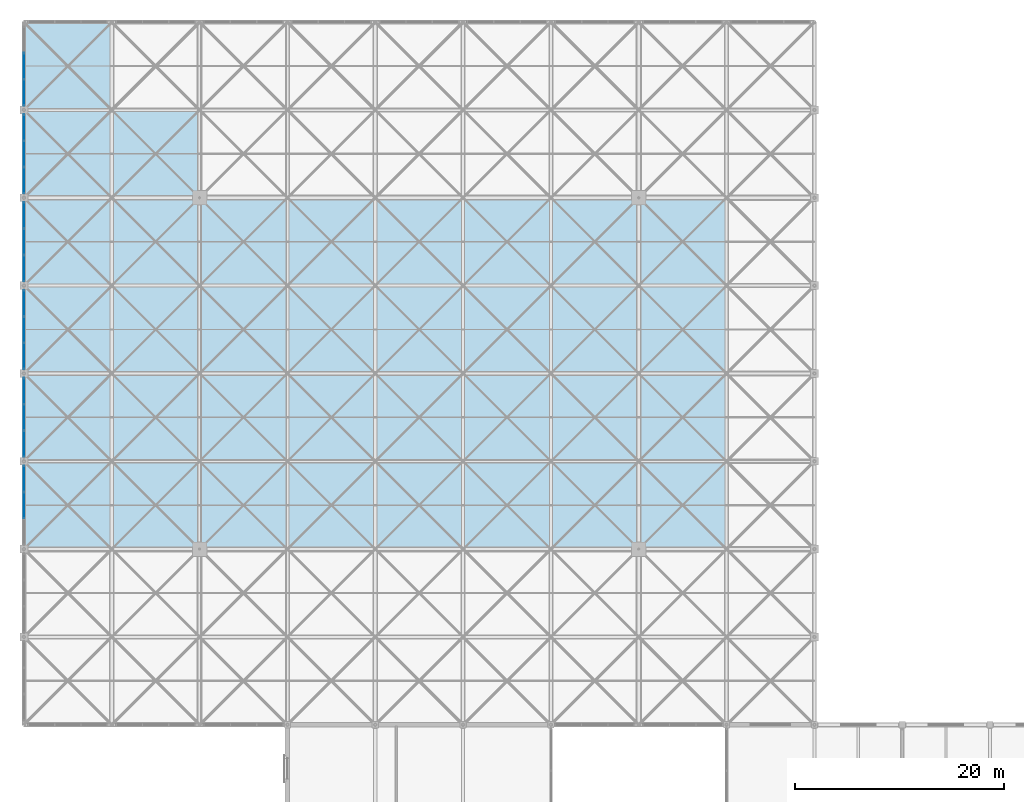
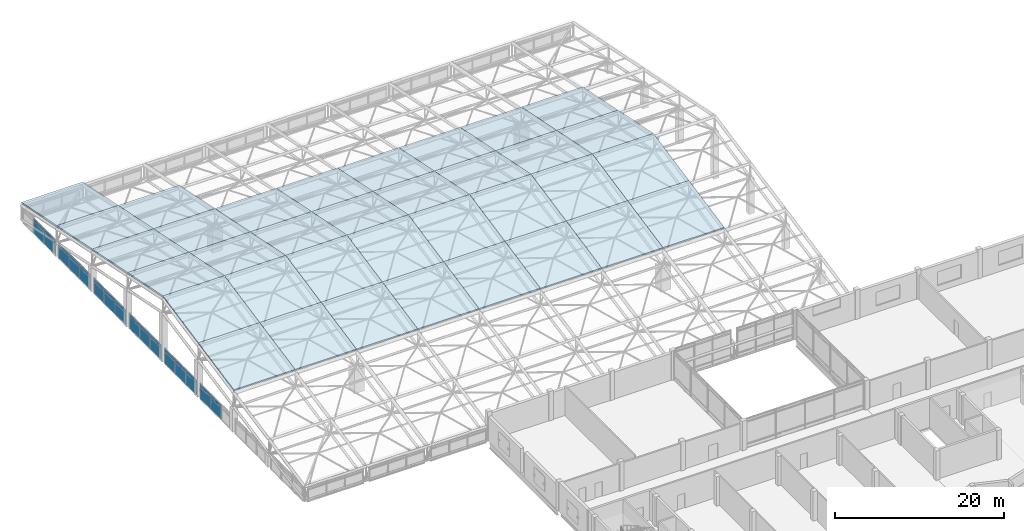
# One storey, part 70 of 81: 35 slabs, 32 plates, 6 elements without a shape of their own.
"""IFC4 building model written with IfcOpenShell, lengths in metres."""

from ifc_helpers import new_model, si_unit, direction, frame, frame_2d, origin, place, context, subcontext, project, spatial, polyline, rectangle, outline, extrude, material, layer, layer_set, type_object, element, aggregate, save


model = new_model("IFC4")

# Units and contexts
model_context = context("Model", 3, precision=1e-05, world=origin(), true_north=direction((0.0, 1.0)))
body_context = subcontext(model_context, "Body", "Model", "MODEL_VIEW")
ifc_project = project(units=[si_unit("LENGTHUNIT", "METRE"), si_unit("AREAUNIT", "SQUARE_METRE"), si_unit("VOLUMEUNIT", "CUBIC_METRE"), si_unit("PLANEANGLEUNIT", "RADIAN"), si_unit("MASSUNIT", "GRAM", prefix="KILO")], contexts=[model_context])

# Site, building, storey
site_placement = place(None, origin())
site = spatial("IfcSite", under=ifc_project, at=site_placement, CompositionType="ELEMENT")
building_placement = place(site_placement, origin())
building = spatial("IfcBuilding", under=site, at=building_placement, Name="Qawsi Khor Wholesale Market", CompositionType="ELEMENT")
storey_placement = place(building_placement, frame((0.0, 0.0, 16.199951171875)))
storey = spatial("IfcBuildingStorey", under=building, at=storey_placement, Name="L03", CompositionType="ELEMENT", Elevation=16.199951171875)

# Slabs
ifc_material_1 = material(Name="Concrete C40/50", Category="concrete")
ifc_layer_1 = layer(ifc_material_1, 0.2099609375, Name="Concrete C40/50")
ifc_layer_set_1 = layer_set([ifc_layer_1], Name="Concrete C40/50")
slab_type = type_object("IfcSlabType", Name="Sloped Insulated Roof Deck 210", PredefinedType="ROOF", material=ifc_layer_set_1)
slab_1_placement = place(storey_placement, frame((0.0, 58.800048828125, 5.85009765625), z_axis=(0.0, -0.1983562496, 0.980129990483), x_axis=(1.0, 0.0, 0.0)))
element("IfcSlab", 1, at=slab_1_placement, inside=storey, type_object=slab_type, Name="Space frame roof deck WH (0,7)", PredefinedType="ROOF", context=body_context, shape_type="SweptSolid", body=[
    extrude(outline(polyline([(0.0, 0.0), (8.39990234375, 0.0), (8.39990234375, 8.570192143195854), (0.0, 8.570192143195854), (0.0, 0.0)])), origin(), (0.0, 0.0, -1.0), 0.2099609375),
])
slab_2_placement = place(storey_placement, frame((0.0, 67.199951171875, 7.550048828125), z_axis=(0.0, -0.198350711418, 0.98013111127), x_axis=(1.0, 0.0, 0.0)))
element("IfcSlab", 2, at=slab_2_placement, inside=storey, type_object=slab_type, Name="Space frame roof deck WH (0,8)", PredefinedType="ROOF", context=body_context, shape_type="SweptSolid", body=[
    extrude(outline(polyline([(0.0, 0.0), (8.39990234375, 0.0), (8.39990234375, 8.570431432881128), (0.0, 8.570431432881128), (0.0, 0.0)])), origin(), (0.0, 0.0, -1.0), 0.2099609375),
])
for number, where, z_axis, x_axis, name in (
    (3, (0.0, 75.60009765625, 9.25), (0.0, 0.1983562496, 0.980129990483), (1.0, 0.0, 0.0), "Space frame roof deck WH (0,9)"),
    (4, (0.0, 84.0, 7.550048828125), (0.0, 0.1983562496, 0.980129990483), (1.0, 0.0, 0.0), "Space frame roof deck WH (0,10)"),
):
    element("IfcSlab", number, at=place(storey_placement, frame(where, z_axis=z_axis, x_axis=x_axis)), inside=storey, type_object=slab_type, Name=name, PredefinedType="ROOF", context=body_context, shape_type="SweptSolid", body=[
        extrude(outline(polyline([(0.0, 0.0), (8.39990234375, 0.0), (8.39990234375, 8.570192143195854), (0.0, 8.570192143195854), (0.0, 0.0)])), origin(), (0.0, 0.0, -1.0), 0.2099609375),
    ])
slab_3_placement = place(storey_placement, frame((0.0, 92.39990234375, 5.85009765625), z_axis=(0.0, 0.198350711418, 0.98013111127), x_axis=(1.0, 0.0, 0.0)))
element("IfcSlab", 5, at=slab_3_placement, inside=storey, type_object=slab_type, Name="Space frame roof deck WH (0,11)", PredefinedType="ROOF", context=body_context, shape_type="SweptSolid", body=[
    extrude(outline(polyline([(0.0, 0.0), (8.39990234375, 0.0), (8.39990234375, 8.570431432881128), (0.0, 8.570431432881128), (0.0, 0.0)])), origin(), (0.0, 0.0, -1.0), 0.2099609375),
])
slab_4_placement = place(storey_placement, frame((0.0, 100.800048828125, 4.150146484375), z_axis=(0.0, 0.198383615716, 0.9801244518), x_axis=(1.0, 0.0, 0.0)))
element("IfcSlab", 6, at=slab_4_placement, inside=storey, type_object=slab_type, Name="Space frame roof deck WH (0,12)", PredefinedType="ROOF", context=body_context, shape_type="SweptSolid", body=[
    extrude(outline(polyline([(0.0, 0.0), (8.39990234375, 0.0), (8.39990234375, 8.570240573355203), (0.0, 8.570240573355203), (0.0, 0.0)])), origin(), (0.0, 0.0, -1.0), 0.2099609375),
])
slab_5_placement = place(storey_placement, frame((8.39990234375, 58.800048828125, 5.85009765625), z_axis=(0.0, -0.1983562496, 0.980129990483), x_axis=(1.0, 0.0, 0.0)))
element("IfcSlab", 7, at=slab_5_placement, inside=storey, type_object=slab_type, Name="Space frame roof deck WH (1,7)", PredefinedType="ROOF", context=body_context, shape_type="SweptSolid", body=[
    extrude(outline(polyline([(0.0, 0.0), (8.400146484375, 0.0), (8.400146484375, 8.570192143195856), (0.0, 8.570192143195856), (0.0, 0.0)])), origin(), (0.0, 0.0, -1.0), 0.2099609375),
])
slab_6_placement = place(storey_placement, frame((8.39990234375, 67.199951171875, 7.550048828125), z_axis=(0.0, -0.198350711418, 0.98013111127), x_axis=(1.0, 0.0, 0.0)))
element("IfcSlab", 8, at=slab_6_placement, inside=storey, type_object=slab_type, Name="Space frame roof deck WH (1,8)", PredefinedType="ROOF", context=body_context, shape_type="SweptSolid", body=[
    extrude(outline(polyline([(0.0, 0.0), (8.400146484375, 0.0), (8.400146484375, 8.570431432881128), (0.0, 8.570431432881128), (0.0, 0.0)])), origin(), (0.0, 0.0, -1.0), 0.2099609375),
])
for number, where, z_axis, x_axis, name in (
    (9, (8.39990234375, 75.60009765625, 9.25), (0.0, 0.1983562496, 0.980129990483), (1.0, 0.0, 0.0), "Space frame roof deck WH (1,9)"),
    (10, (8.39990234375, 84.0, 7.550048828125), (0.0, 0.1983562496, 0.980129990483), (1.0, 0.0, 0.0), "Space frame roof deck WH (1,10)"),
):
    element("IfcSlab", number, at=place(storey_placement, frame(where, z_axis=z_axis, x_axis=x_axis)), inside=storey, type_object=slab_type, Name=name, PredefinedType="ROOF", context=body_context, shape_type="SweptSolid", body=[
        extrude(outline(polyline([(0.0, 0.0), (8.400146484375, 0.0), (8.400146484375, 8.570192143195856), (0.0, 8.570192143195856), (0.0, 0.0)])), origin(), (0.0, 0.0, -1.0), 0.2099609375),
    ])
slab_7_placement = place(storey_placement, frame((8.39990234375, 92.39990234375, 5.85009765625), z_axis=(0.0, 0.198350711418, 0.98013111127), x_axis=(1.0, 0.0, 0.0)))
element("IfcSlab", 11, at=slab_7_placement, inside=storey, type_object=slab_type, Name="Space frame roof deck WH (1,11)", PredefinedType="ROOF", context=body_context, shape_type="SweptSolid", body=[
    extrude(outline(polyline([(0.0, 0.0), (8.400146484375, 0.0), (8.400146484375, 8.570431432881128), (0.0, 8.570431432881128), (0.0, 0.0)])), origin(), (0.0, 0.0, -1.0), 0.2099609375),
])
slab_8_placement = place(storey_placement, frame((16.800048828125, 58.800048828125, 5.85009765625), z_axis=(0.0, -0.1983562496, 0.980129990483), x_axis=(1.0, 0.0, 0.0)))
element("IfcSlab", 12, at=slab_8_placement, inside=storey, type_object=slab_type, Name="Space frame roof deck WH (2,7)", PredefinedType="ROOF", context=body_context, shape_type="SweptSolid", body=[
    extrude(outline(polyline([(0.0, 0.0), (8.39990234375, 0.0), (8.39990234375, 8.570192143195854), (0.0, 8.570192143195854), (0.0, 0.0)])), origin(), (0.0, 0.0, -1.0), 0.2099609375),
])
slab_9_placement = place(storey_placement, frame((16.800048828125, 67.199951171875, 7.550048828125), z_axis=(0.0, -0.198350711418, 0.98013111127), x_axis=(1.0, 0.0, 0.0)))
element("IfcSlab", 13, at=slab_9_placement, inside=storey, type_object=slab_type, Name="Space frame roof deck WH (2,8)", PredefinedType="ROOF", context=body_context, shape_type="SweptSolid", body=[
    extrude(outline(polyline([(0.0, 0.0), (8.39990234375, 0.0), (8.39990234375, 8.570431432881128), (0.0, 8.570431432881128), (0.0, 0.0)])), origin(), (0.0, 0.0, -1.0), 0.2099609375),
])
for number, where, z_axis, x_axis, name in (
    (14, (16.800048828125, 75.60009765625, 9.25), (0.0, 0.1983562496, 0.980129990483), (1.0, 0.0, 0.0), "Space frame roof deck WH (2,9)"),
    (15, (16.800048828125, 84.0, 7.550048828125), (0.0, 0.1983562496, 0.980129990483), (1.0, 0.0, 0.0), "Space frame roof deck WH (2,10)"),
):
    element("IfcSlab", number, at=place(storey_placement, frame(where, z_axis=z_axis, x_axis=x_axis)), inside=storey, type_object=slab_type, Name=name, PredefinedType="ROOF", context=body_context, shape_type="SweptSolid", body=[
        extrude(outline(polyline([(0.0, 0.0), (8.39990234375, 0.0), (8.39990234375, 8.570192143195854), (0.0, 8.570192143195854), (0.0, 0.0)])), origin(), (0.0, 0.0, -1.0), 0.2099609375),
    ])
slab_10_placement = place(storey_placement, frame((25.199951171875, 58.800048828125, 5.85009765625), z_axis=(0.0, -0.1983562496, 0.980129990483), x_axis=(1.0, 0.0, 0.0)))
element("IfcSlab", 16, at=slab_10_placement, inside=storey, type_object=slab_type, Name="Space frame roof deck WH (3,7)", PredefinedType="ROOF", context=body_context, shape_type="SweptSolid", body=[
    extrude(outline(polyline([(0.0, 0.0), (8.400146484375, 0.0), (8.400146484375, 8.570192143195856), (0.0, 8.570192143195856), (0.0, 0.0)])), origin(), (0.0, 0.0, -1.0), 0.2099609375),
])
slab_11_placement = place(storey_placement, frame((25.199951171875, 67.199951171875, 7.550048828125), z_axis=(0.0, -0.198350711418, 0.98013111127), x_axis=(1.0, 0.0, 0.0)))
element("IfcSlab", 17, at=slab_11_placement, inside=storey, type_object=slab_type, Name="Space frame roof deck WH (3,8)", PredefinedType="ROOF", context=body_context, shape_type="SweptSolid", body=[
    extrude(outline(polyline([(0.0, 0.0), (8.400146484375, 0.0), (8.400146484375, 8.570431432881128), (0.0, 8.570431432881128), (0.0, 0.0)])), origin(), (0.0, 0.0, -1.0), 0.2099609375),
])
for number, where, z_axis, x_axis, name in (
    (18, (25.199951171875, 75.60009765625, 9.25), (0.0, 0.1983562496, 0.980129990483), (1.0, 0.0, 0.0), "Space frame roof deck WH (3,9)"),
    (19, (25.199951171875, 84.0, 7.550048828125), (0.0, 0.1983562496, 0.980129990483), (1.0, 0.0, 0.0), "Space frame roof deck WH (3,10)"),
):
    element("IfcSlab", number, at=place(storey_placement, frame(where, z_axis=z_axis, x_axis=x_axis)), inside=storey, type_object=slab_type, Name=name, PredefinedType="ROOF", context=body_context, shape_type="SweptSolid", body=[
        extrude(outline(polyline([(0.0, 0.0), (8.400146484375, 0.0), (8.400146484375, 8.570192143195856), (0.0, 8.570192143195856), (0.0, 0.0)])), origin(), (0.0, 0.0, -1.0), 0.2099609375),
    ])
slab_12_placement = place(storey_placement, frame((33.60009765625, 58.800048828125, 5.85009765625), z_axis=(0.0, -0.1983562496, 0.980129990483), x_axis=(1.0, 0.0, 0.0)))
element("IfcSlab", 20, at=slab_12_placement, inside=storey, type_object=slab_type, Name="Space frame roof deck WH (4,7)", PredefinedType="ROOF", context=body_context, shape_type="SweptSolid", body=[
    extrude(outline(polyline([(0.0, 0.0), (8.39990234375, 0.0), (8.39990234375, 8.570192143195854), (0.0, 8.570192143195854), (0.0, 0.0)])), origin(), (0.0, 0.0, -1.0), 0.2099609375),
])
slab_13_placement = place(storey_placement, frame((33.60009765625, 67.199951171875, 7.550048828125), z_axis=(0.0, -0.198350711418, 0.98013111127), x_axis=(1.0, 0.0, 0.0)))
element("IfcSlab", 21, at=slab_13_placement, inside=storey, type_object=slab_type, Name="Space frame roof deck WH (4,8)", PredefinedType="ROOF", context=body_context, shape_type="SweptSolid", body=[
    extrude(outline(polyline([(0.0, 0.0), (8.39990234375, 0.0), (8.39990234375, 8.570431432881128), (0.0, 8.570431432881128), (0.0, 0.0)])), origin(), (0.0, 0.0, -1.0), 0.2099609375),
])
for number, where, z_axis, x_axis, name in (
    (22, (33.60009765625, 75.60009765625, 9.25), (0.0, 0.1983562496, 0.980129990483), (1.0, 0.0, 0.0), "Space frame roof deck WH (4,9)"),
    (23, (33.60009765625, 84.0, 7.550048828125), (0.0, 0.1983562496, 0.980129990483), (1.0, 0.0, 0.0), "Space frame roof deck WH (4,10)"),
    (24, (42.0, 58.800048828125, 5.85009765625), (0.0, -0.1983562496, 0.980129990483), (1.0, 0.0, 0.0), "Space frame roof deck WH (5,7)"),
):
    element("IfcSlab", number, at=place(storey_placement, frame(where, z_axis=z_axis, x_axis=x_axis)), inside=storey, type_object=slab_type, Name=name, PredefinedType="ROOF", context=body_context, shape_type="SweptSolid", body=[
        extrude(outline(polyline([(0.0, 0.0), (8.39990234375, 0.0), (8.39990234375, 8.570192143195854), (0.0, 8.570192143195854), (0.0, 0.0)])), origin(), (0.0, 0.0, -1.0), 0.2099609375),
    ])
slab_14_placement = place(storey_placement, frame((42.0, 67.199951171875, 7.550048828125), z_axis=(0.0, -0.198350711418, 0.98013111127), x_axis=(1.0, 0.0, 0.0)))
element("IfcSlab", 25, at=slab_14_placement, inside=storey, type_object=slab_type, Name="Space frame roof deck WH (5,8)", PredefinedType="ROOF", context=body_context, shape_type="SweptSolid", body=[
    extrude(outline(polyline([(0.0, 0.0), (8.39990234375, 0.0), (8.39990234375, 8.570431432881128), (0.0, 8.570431432881128), (0.0, 0.0)])), origin(), (0.0, 0.0, -1.0), 0.2099609375),
])
for number, where, z_axis, x_axis, name in (
    (26, (42.0, 75.60009765625, 9.25), (0.0, 0.1983562496, 0.980129990483), (1.0, 0.0, 0.0), "Space frame roof deck WH (5,9)"),
    (27, (42.0, 84.0, 7.550048828125), (0.0, 0.1983562496, 0.980129990483), (1.0, 0.0, 0.0), "Space frame roof deck WH (5,10)"),
):
    element("IfcSlab", number, at=place(storey_placement, frame(where, z_axis=z_axis, x_axis=x_axis)), inside=storey, type_object=slab_type, Name=name, PredefinedType="ROOF", context=body_context, shape_type="SweptSolid", body=[
        extrude(outline(polyline([(0.0, 0.0), (8.39990234375, 0.0), (8.39990234375, 8.570192143195854), (0.0, 8.570192143195854), (0.0, 0.0)])), origin(), (0.0, 0.0, -1.0), 0.2099609375),
    ])
slab_15_placement = place(storey_placement, frame((50.39990234375, 58.800048828125, 5.85009765625), z_axis=(0.0, -0.1983562496, 0.980129990483), x_axis=(1.0, 0.0, 0.0)))
element("IfcSlab", 28, at=slab_15_placement, inside=storey, type_object=slab_type, Name="Space frame roof deck WH (6,7)", PredefinedType="ROOF", context=body_context, shape_type="SweptSolid", body=[
    extrude(outline(polyline([(0.0, 0.0), (8.400146484375, 0.0), (8.400146484375, 8.570192143195856), (0.0, 8.570192143195856), (0.0, 0.0)])), origin(), (0.0, 0.0, -1.0), 0.2099609375),
])
slab_16_placement = place(storey_placement, frame((50.39990234375, 67.199951171875, 7.550048828125), z_axis=(0.0, -0.198350711418, 0.98013111127), x_axis=(1.0, 0.0, 0.0)))
element("IfcSlab", 29, at=slab_16_placement, inside=storey, type_object=slab_type, Name="Space frame roof deck WH (6,8)", PredefinedType="ROOF", context=body_context, shape_type="SweptSolid", body=[
    extrude(outline(polyline([(0.0, 0.0), (8.400146484375, 0.0), (8.400146484375, 8.570431432881128), (0.0, 8.570431432881128), (0.0, 0.0)])), origin(), (0.0, 0.0, -1.0), 0.2099609375),
])
for number, where, z_axis, x_axis, name in (
    (30, (50.39990234375, 75.60009765625, 9.25), (0.0, 0.1983562496, 0.980129990483), (1.0, 0.0, 0.0), "Space frame roof deck WH (6,9)"),
    (31, (50.39990234375, 84.0, 7.550048828125), (0.0, 0.1983562496, 0.980129990483), (1.0, 0.0, 0.0), "Space frame roof deck WH (6,10)"),
):
    element("IfcSlab", number, at=place(storey_placement, frame(where, z_axis=z_axis, x_axis=x_axis)), inside=storey, type_object=slab_type, Name=name, PredefinedType="ROOF", context=body_context, shape_type="SweptSolid", body=[
        extrude(outline(polyline([(0.0, 0.0), (8.400146484375, 0.0), (8.400146484375, 8.570192143195856), (0.0, 8.570192143195856), (0.0, 0.0)])), origin(), (0.0, 0.0, -1.0), 0.2099609375),
    ])
slab_17_placement = place(storey_placement, frame((58.800048828125, 58.800048828125, 5.85009765625), z_axis=(0.0, -0.1983562496, 0.980129990483), x_axis=(1.0, 0.0, 0.0)))
element("IfcSlab", 32, at=slab_17_placement, inside=storey, type_object=slab_type, Name="Space frame roof deck WH (7,7)", PredefinedType="ROOF", context=body_context, shape_type="SweptSolid", body=[
    extrude(outline(polyline([(0.0, 0.0), (8.39990234375, 0.0), (8.39990234375, 8.570192143195854), (0.0, 8.570192143195854), (0.0, 0.0)])), origin(), (0.0, 0.0, -1.0), 0.2099609375),
])
slab_18_placement = place(storey_placement, frame((58.800048828125, 67.199951171875, 7.550048828125), z_axis=(0.0, -0.198350711418, 0.98013111127), x_axis=(1.0, 0.0, 0.0)))
element("IfcSlab", 33, at=slab_18_placement, inside=storey, type_object=slab_type, Name="Space frame roof deck WH (7,8)", PredefinedType="ROOF", context=body_context, shape_type="SweptSolid", body=[
    extrude(outline(polyline([(0.0, 0.0), (8.39990234375, 0.0), (8.39990234375, 8.570431432881128), (0.0, 8.570431432881128), (0.0, 0.0)])), origin(), (0.0, 0.0, -1.0), 0.2099609375),
])
for number, where, z_axis, x_axis, name in (
    (34, (58.800048828125, 75.60009765625, 9.25), (0.0, 0.1983562496, 0.980129990483), (1.0, 0.0, 0.0), "Space frame roof deck WH (7,9)"),
    (35, (58.800048828125, 84.0, 7.550048828125), (0.0, 0.1983562496, 0.980129990483), (1.0, 0.0, 0.0), "Space frame roof deck WH (7,10)"),
):
    element("IfcSlab", number, at=place(storey_placement, frame(where, z_axis=z_axis, x_axis=x_axis)), inside=storey, type_object=slab_type, Name=name, PredefinedType="ROOF", context=body_context, shape_type="SweptSolid", body=[
        extrude(outline(polyline([(0.0, 0.0), (8.39990234375, 0.0), (8.39990234375, 8.570192143195854), (0.0, 8.570192143195854), (0.0, 0.0)])), origin(), (0.0, 0.0, -1.0), 0.2099609375),
    ])

# Curtain wall, plates
ifc_material_2 = material(Name="Aluminium Anodised Bronze", Category="aluminium")
ifc_layer_2 = layer(ifc_material_2, 0.199951171875, Name="Aluminium Anodised Bronze")
ifc_layer_set_2 = layer_set([ifc_layer_2], Name="Aluminium Anodised Bronze")
curtain_wall_type = type_object("IfcCurtainWallType", Name="Trading Hall North-Light Curtain Wall CW-03", PredefinedType="NOTDEFINED", material=ifc_layer_set_2)
curtain_wall_1_placement = place(storey_placement, origin())
curtain_wall_1 = element("IfcCurtainWall", 36, at=curtain_wall_1_placement, inside=storey, type_object=curtain_wall_type, Name="Curtain wall CW-CW-03-L03-133", PredefinedType="NOTDEFINED")
ifc_material_3 = material(Name="Tempered Low-E Solar Glass", Category="glass")
ifc_layer_3 = layer(ifc_material_3, 0.0419921875, Name="Tempered Low-E Solar Glass")
ifc_layer_set_3 = layer_set([ifc_layer_3], Name="Tempered Low-E Solar Glass")
plate_type = type_object("IfcPlateType", Name="Solar Double-Glazed Unit CW-03 42mm", PredefinedType="CURTAIN_PANEL", material=ifc_layer_set_3)
plate_1_placement = place(storey_placement, frame((0.0, 61.74072265625, -0.27490234375), z_axis=(0.0, 0.0, 1.0), x_axis=(0.0, 1.0, 0.0)))
plate_1 = element("IfcPlate", 37, at=plate_1_placement, type_object=plate_type, Name="Curtain panel CW-CW-03-L03-133-P0_01", PredefinedType="CURTAIN_PANEL", context=body_context, shape_type="SweptSolid", body=[
    extrude(rectangle(XDim=2.5185546875, YDim=0.0419921875, at=frame_2d((1.25927734375, 0.0))), origin(), (0.0, 0.0, 1.0), 1.719970703125),
])
plate_2_placement = place(storey_placement, frame((0.0, 64.25927734375, -0.27490234375), z_axis=(0.0, 0.0, 1.0), x_axis=(0.0, 1.0, 0.0)))
plate_2 = element("IfcPlate", 38, at=plate_2_placement, type_object=plate_type, Name="Curtain panel CW-CW-03-L03-133-P0_02", PredefinedType="CURTAIN_PANEL", context=body_context, shape_type="SweptSolid", body=[
    extrude(rectangle(XDim=2.518310546875, YDim=0.0419921875, at=frame_2d((1.25927734375, 0.0))), origin(), (0.0, 0.0, 1.0), 1.719970703125),
])
plate_3_placement = place(storey_placement, frame((0.0, 61.74072265625, 1.455078125), z_axis=(0.0, 0.0, 1.0), x_axis=(0.0, 1.0, 0.0)))
plate_3 = element("IfcPlate", 39, at=plate_3_placement, type_object=plate_type, Name="Curtain panel CW-CW-03-L03-133-P1_01", PredefinedType="CURTAIN_PANEL", context=body_context, shape_type="SweptSolid", body=[
    extrude(rectangle(XDim=2.5185546875, YDim=0.0419921875, at=frame_2d((1.25927734375, 0.0))), origin(), (0.0, 0.0, 1.0), 0.43994140625),
])
plate_4_placement = place(storey_placement, frame((0.0, 64.25927734375, 1.455078125), z_axis=(0.0, 0.0, 1.0), x_axis=(0.0, 1.0, 0.0)))
plate_4 = element("IfcPlate", 40, at=plate_4_placement, type_object=plate_type, Name="Curtain panel CW-CW-03-L03-133-P1_02", PredefinedType="CURTAIN_PANEL", context=body_context, shape_type="SweptSolid", body=[
    extrude(rectangle(XDim=2.518310546875, YDim=0.0419921875, at=frame_2d((1.25927734375, 0.0))), origin(), (0.0, 0.0, 1.0), 0.43994140625),
])
aggregate(curtain_wall_1, [plate_1, plate_2, plate_3, plate_4])

curtain_wall_2_placement = place(storey_placement, origin())
curtain_wall_2 = element("IfcCurtainWall", 41, at=curtain_wall_2_placement, inside=storey, type_object=curtain_wall_type, Name="Curtain wall CW-CW-03-L03-135", PredefinedType="NOTDEFINED")
plate_5_placement = place(storey_placement, frame((0.0, 67.62255859375, -0.27490234375), z_axis=(0.0, 0.0, 1.0), x_axis=(0.0, 1.0, 0.0)))
plate_5 = element("IfcPlate", 42, at=plate_5_placement, type_object=plate_type, Name="Curtain panel CW-CW-03-L03-135-P0_00", PredefinedType="CURTAIN_PANEL", context=body_context, shape_type="SweptSolid", body=[
    extrude(rectangle(XDim=2.518310546875, YDim=0.0419921875, at=frame_2d((1.25927734375, 0.0))), origin(), (0.0, 0.0, 1.0), 1.719970703125),
])
plate_6_placement = place(storey_placement, frame((0.0, 70.140869140625, -0.27490234375), z_axis=(0.0, 0.0, 1.0), x_axis=(0.0, 1.0, 0.0)))
plate_6 = element("IfcPlate", 43, at=plate_6_placement, type_object=plate_type, Name="Curtain panel CW-CW-03-L03-135-P0_01", PredefinedType="CURTAIN_PANEL", context=body_context, shape_type="SweptSolid", body=[
    extrude(rectangle(XDim=2.518310546875, YDim=0.0419921875, at=frame_2d((1.25927734375, 0.0))), origin(), (0.0, 0.0, 1.0), 1.719970703125),
])
plate_7_placement = place(storey_placement, frame((0.0, 72.6591796875, -0.27490234375), z_axis=(0.0, 0.0, 1.0), x_axis=(0.0, 1.0, 0.0)))
plate_7 = element("IfcPlate", 44, at=plate_7_placement, type_object=plate_type, Name="Curtain panel CW-CW-03-L03-135-P0_02", PredefinedType="CURTAIN_PANEL", context=body_context, shape_type="SweptSolid", body=[
    extrude(rectangle(XDim=2.518310546875, YDim=0.0419921875, at=frame_2d((1.25927734375, 0.0))), origin(), (0.0, 0.0, 1.0), 1.719970703125),
])
plate_8_placement = place(storey_placement, frame((0.0, 67.62255859375, 1.455078125), z_axis=(0.0, 0.0, 1.0), x_axis=(0.0, 1.0, 0.0)))
plate_8 = element("IfcPlate", 45, at=plate_8_placement, type_object=plate_type, Name="Curtain panel CW-CW-03-L03-135-P1_00", PredefinedType="CURTAIN_PANEL", context=body_context, shape_type="SweptSolid", body=[
    extrude(rectangle(XDim=2.518310546875, YDim=0.0419921875, at=frame_2d((1.25927734375, 0.0))), origin(), (0.0, 0.0, 1.0), 0.43994140625),
])
plate_9_placement = place(storey_placement, frame((0.0, 70.140869140625, 1.455078125), z_axis=(0.0, 0.0, 1.0), x_axis=(0.0, 1.0, 0.0)))
plate_9 = element("IfcPlate", 46, at=plate_9_placement, type_object=plate_type, Name="Curtain panel CW-CW-03-L03-135-P1_01", PredefinedType="CURTAIN_PANEL", context=body_context, shape_type="SweptSolid", body=[
    extrude(rectangle(XDim=2.518310546875, YDim=0.0419921875, at=frame_2d((1.25927734375, 0.0))), origin(), (0.0, 0.0, 1.0), 0.43994140625),
])
plate_10_placement = place(storey_placement, frame((0.0, 72.6591796875, 1.455078125), z_axis=(0.0, 0.0, 1.0), x_axis=(0.0, 1.0, 0.0)))
plate_10 = element("IfcPlate", 47, at=plate_10_placement, type_object=plate_type, Name="Curtain panel CW-CW-03-L03-135-P1_02", PredefinedType="CURTAIN_PANEL", context=body_context, shape_type="SweptSolid", body=[
    extrude(rectangle(XDim=2.518310546875, YDim=0.0419921875, at=frame_2d((1.25927734375, 0.0))), origin(), (0.0, 0.0, 1.0), 0.43994140625),
])
aggregate(curtain_wall_2, [plate_5, plate_6, plate_7, plate_8, plate_9, plate_10])

curtain_wall_3_placement = place(storey_placement, origin())
curtain_wall_3 = element("IfcCurtainWall", 48, at=curtain_wall_3_placement, inside=storey, type_object=curtain_wall_type, Name="Curtain wall CW-CW-03-L03-137", PredefinedType="NOTDEFINED")
plate_11_placement = place(storey_placement, frame((0.0, 76.0224609375, -0.27490234375), z_axis=(0.0, 0.0, 1.0), x_axis=(0.0, 1.0, 0.0)))
plate_11 = element("IfcPlate", 49, at=plate_11_placement, type_object=plate_type, Name="Curtain panel CW-CW-03-L03-137-P0_00", PredefinedType="CURTAIN_PANEL", context=body_context, shape_type="SweptSolid", body=[
    extrude(rectangle(XDim=2.518310546875, YDim=0.0419921875, at=frame_2d((1.25927734375, 0.0))), origin(), (0.0, 0.0, 1.0), 1.719970703125),
])
plate_12_placement = place(storey_placement, frame((0.0, 78.540771484375, -0.27490234375), z_axis=(0.0, 0.0, 1.0), x_axis=(0.0, 1.0, 0.0)))
plate_12 = element("IfcPlate", 50, at=plate_12_placement, type_object=plate_type, Name="Curtain panel CW-CW-03-L03-137-P0_01", PredefinedType="CURTAIN_PANEL", context=body_context, shape_type="SweptSolid", body=[
    extrude(rectangle(XDim=2.518310546875, YDim=0.0419921875, at=frame_2d((1.25927734375, 0.0))), origin(), (0.0, 0.0, 1.0), 1.719970703125),
])
plate_13_placement = place(storey_placement, frame((0.0, 81.05908203125, -0.27490234375), z_axis=(0.0, 0.0, 1.0), x_axis=(0.0, 1.0, 0.0)))
plate_13 = element("IfcPlate", 51, at=plate_13_placement, type_object=plate_type, Name="Curtain panel CW-CW-03-L03-137-P0_02", PredefinedType="CURTAIN_PANEL", context=body_context, shape_type="SweptSolid", body=[
    extrude(rectangle(XDim=2.518310546875, YDim=0.0419921875, at=frame_2d((1.25927734375, 0.0))), origin(), (0.0, 0.0, 1.0), 1.719970703125),
])
plate_14_placement = place(storey_placement, frame((0.0, 76.0224609375, 1.455078125), z_axis=(0.0, 0.0, 1.0), x_axis=(0.0, 1.0, 0.0)))
plate_14 = element("IfcPlate", 52, at=plate_14_placement, type_object=plate_type, Name="Curtain panel CW-CW-03-L03-137-P1_00", PredefinedType="CURTAIN_PANEL", context=body_context, shape_type="SweptSolid", body=[
    extrude(rectangle(XDim=2.518310546875, YDim=0.0419921875, at=frame_2d((1.25927734375, 0.0))), origin(), (0.0, 0.0, 1.0), 0.43994140625),
])
plate_15_placement = place(storey_placement, frame((0.0, 78.540771484375, 1.455078125), z_axis=(0.0, 0.0, 1.0), x_axis=(0.0, 1.0, 0.0)))
plate_15 = element("IfcPlate", 53, at=plate_15_placement, type_object=plate_type, Name="Curtain panel CW-CW-03-L03-137-P1_01", PredefinedType="CURTAIN_PANEL", context=body_context, shape_type="SweptSolid", body=[
    extrude(rectangle(XDim=2.518310546875, YDim=0.0419921875, at=frame_2d((1.25927734375, 0.0))), origin(), (0.0, 0.0, 1.0), 0.43994140625),
])
plate_16_placement = place(storey_placement, frame((0.0, 81.05908203125, 1.455078125), z_axis=(0.0, 0.0, 1.0), x_axis=(0.0, 1.0, 0.0)))
plate_16 = element("IfcPlate", 54, at=plate_16_placement, type_object=plate_type, Name="Curtain panel CW-CW-03-L03-137-P1_02", PredefinedType="CURTAIN_PANEL", context=body_context, shape_type="SweptSolid", body=[
    extrude(rectangle(XDim=2.518310546875, YDim=0.0419921875, at=frame_2d((1.25927734375, 0.0))), origin(), (0.0, 0.0, 1.0), 0.43994140625),
])
aggregate(curtain_wall_3, [plate_11, plate_12, plate_13, plate_14, plate_15, plate_16])

curtain_wall_4_placement = place(storey_placement, origin())
curtain_wall_4 = element("IfcCurtainWall", 55, at=curtain_wall_4_placement, inside=storey, type_object=curtain_wall_type, Name="Curtain wall CW-CW-03-L03-139", PredefinedType="NOTDEFINED")
plate_17_placement = place(storey_placement, frame((0.0, 84.422607421875, -0.27490234375), z_axis=(0.0, 0.0, 1.0), x_axis=(0.0, 1.0, 0.0)))
plate_17 = element("IfcPlate", 56, at=plate_17_placement, type_object=plate_type, Name="Curtain panel CW-CW-03-L03-139-P0_00", PredefinedType="CURTAIN_PANEL", context=body_context, shape_type="SweptSolid", body=[
    extrude(rectangle(XDim=2.518310546875, YDim=0.0419921875, at=frame_2d((1.25927734375, 0.0))), origin(), (0.0, 0.0, 1.0), 1.719970703125),
])
plate_18_placement = place(storey_placement, frame((0.0, 86.94091796875, -0.27490234375), z_axis=(0.0, 0.0, 1.0), x_axis=(0.0, 1.0, 0.0)))
plate_18 = element("IfcPlate", 57, at=plate_18_placement, type_object=plate_type, Name="Curtain panel CW-CW-03-L03-139-P0_01", PredefinedType="CURTAIN_PANEL", context=body_context, shape_type="SweptSolid", body=[
    extrude(rectangle(XDim=2.518310546875, YDim=0.0419921875, at=frame_2d((1.25927734375, 0.0))), origin(), (0.0, 0.0, 1.0), 1.719970703125),
])
plate_19_placement = place(storey_placement, frame((0.0, 89.459228515625, -0.27490234375), z_axis=(0.0, 0.0, 1.0), x_axis=(0.0, 1.0, 0.0)))
plate_19 = element("IfcPlate", 58, at=plate_19_placement, type_object=plate_type, Name="Curtain panel CW-CW-03-L03-139-P0_02", PredefinedType="CURTAIN_PANEL", context=body_context, shape_type="SweptSolid", body=[
    extrude(rectangle(XDim=2.518310546875, YDim=0.0419921875, at=frame_2d((1.25927734375, 0.0))), origin(), (0.0, 0.0, 1.0), 1.719970703125),
])
plate_20_placement = place(storey_placement, frame((0.0, 84.422607421875, 1.455078125), z_axis=(0.0, 0.0, 1.0), x_axis=(0.0, 1.0, 0.0)))
plate_20 = element("IfcPlate", 59, at=plate_20_placement, type_object=plate_type, Name="Curtain panel CW-CW-03-L03-139-P1_00", PredefinedType="CURTAIN_PANEL", context=body_context, shape_type="SweptSolid", body=[
    extrude(rectangle(XDim=2.518310546875, YDim=0.0419921875, at=frame_2d((1.25927734375, 0.0))), origin(), (0.0, 0.0, 1.0), 0.43994140625),
])
plate_21_placement = place(storey_placement, frame((0.0, 86.94091796875, 1.455078125), z_axis=(0.0, 0.0, 1.0), x_axis=(0.0, 1.0, 0.0)))
plate_21 = element("IfcPlate", 60, at=plate_21_placement, type_object=plate_type, Name="Curtain panel CW-CW-03-L03-139-P1_01", PredefinedType="CURTAIN_PANEL", context=body_context, shape_type="SweptSolid", body=[
    extrude(rectangle(XDim=2.518310546875, YDim=0.0419921875, at=frame_2d((1.25927734375, 0.0))), origin(), (0.0, 0.0, 1.0), 0.43994140625),
])
plate_22_placement = place(storey_placement, frame((0.0, 89.459228515625, 1.455078125), z_axis=(0.0, 0.0, 1.0), x_axis=(0.0, 1.0, 0.0)))
plate_22 = element("IfcPlate", 61, at=plate_22_placement, type_object=plate_type, Name="Curtain panel CW-CW-03-L03-139-P1_02", PredefinedType="CURTAIN_PANEL", context=body_context, shape_type="SweptSolid", body=[
    extrude(rectangle(XDim=2.518310546875, YDim=0.0419921875, at=frame_2d((1.25927734375, 0.0))), origin(), (0.0, 0.0, 1.0), 0.43994140625),
])
aggregate(curtain_wall_4, [plate_17, plate_18, plate_19, plate_20, plate_21, plate_22])

curtain_wall_5_placement = place(storey_placement, origin())
curtain_wall_5 = element("IfcCurtainWall", 62, at=curtain_wall_5_placement, inside=storey, type_object=curtain_wall_type, Name="Curtain wall CW-CW-03-L03-141", PredefinedType="NOTDEFINED")
plate_23_placement = place(storey_placement, frame((0.0, 92.822509765625, -0.27490234375), z_axis=(0.0, 0.0, 1.0), x_axis=(0.0, 1.0, 0.0)))
plate_23 = element("IfcPlate", 63, at=plate_23_placement, type_object=plate_type, Name="Curtain panel CW-CW-03-L03-141-P0_00", PredefinedType="CURTAIN_PANEL", context=body_context, shape_type="SweptSolid", body=[
    extrude(rectangle(XDim=2.518310546875, YDim=0.0419921875, at=frame_2d((1.25927734375, 0.0))), origin(), (0.0, 0.0, 1.0), 1.719970703125),
])
plate_24_placement = place(storey_placement, frame((0.0, 95.3408203125, -0.27490234375), z_axis=(0.0, 0.0, 1.0), x_axis=(0.0, 1.0, 0.0)))
plate_24 = element("IfcPlate", 64, at=plate_24_placement, type_object=plate_type, Name="Curtain panel CW-CW-03-L03-141-P0_01", PredefinedType="CURTAIN_PANEL", context=body_context, shape_type="SweptSolid", body=[
    extrude(rectangle(XDim=2.518310546875, YDim=0.0419921875, at=frame_2d((1.25927734375, 0.0))), origin(), (0.0, 0.0, 1.0), 1.719970703125),
])
plate_25_placement = place(storey_placement, frame((0.0, 97.859130859375, -0.27490234375), z_axis=(0.0, 0.0, 1.0), x_axis=(0.0, 1.0, 0.0)))
plate_25 = element("IfcPlate", 65, at=plate_25_placement, type_object=plate_type, Name="Curtain panel CW-CW-03-L03-141-P0_02", PredefinedType="CURTAIN_PANEL", context=body_context, shape_type="SweptSolid", body=[
    extrude(rectangle(XDim=2.518310546875, YDim=0.0419921875, at=frame_2d((1.25927734375, 0.0))), origin(), (0.0, 0.0, 1.0), 1.719970703125),
])
plate_26_placement = place(storey_placement, frame((0.0, 92.822509765625, 1.455078125), z_axis=(0.0, 0.0, 1.0), x_axis=(0.0, 1.0, 0.0)))
plate_26 = element("IfcPlate", 66, at=plate_26_placement, type_object=plate_type, Name="Curtain panel CW-CW-03-L03-141-P1_00", PredefinedType="CURTAIN_PANEL", context=body_context, shape_type="SweptSolid", body=[
    extrude(rectangle(XDim=2.518310546875, YDim=0.0419921875, at=frame_2d((1.25927734375, 0.0))), origin(), (0.0, 0.0, 1.0), 0.43994140625),
])
plate_27_placement = place(storey_placement, frame((0.0, 95.3408203125, 1.455078125), z_axis=(0.0, 0.0, 1.0), x_axis=(0.0, 1.0, 0.0)))
plate_27 = element("IfcPlate", 67, at=plate_27_placement, type_object=plate_type, Name="Curtain panel CW-CW-03-L03-141-P1_01", PredefinedType="CURTAIN_PANEL", context=body_context, shape_type="SweptSolid", body=[
    extrude(rectangle(XDim=2.518310546875, YDim=0.0419921875, at=frame_2d((1.25927734375, 0.0))), origin(), (0.0, 0.0, 1.0), 0.43994140625),
])
plate_28_placement = place(storey_placement, frame((0.0, 97.859130859375, 1.455078125), z_axis=(0.0, 0.0, 1.0), x_axis=(0.0, 1.0, 0.0)))
plate_28 = element("IfcPlate", 68, at=plate_28_placement, type_object=plate_type, Name="Curtain panel CW-CW-03-L03-141-P1_02", PredefinedType="CURTAIN_PANEL", context=body_context, shape_type="SweptSolid", body=[
    extrude(rectangle(XDim=2.518310546875, YDim=0.0419921875, at=frame_2d((1.25927734375, 0.0))), origin(), (0.0, 0.0, 1.0), 0.43994140625),
])
aggregate(curtain_wall_5, [plate_23, plate_24, plate_25, plate_26, plate_27, plate_28])

curtain_wall_6_placement = place(storey_placement, origin())
curtain_wall_6 = element("IfcCurtainWall", 69, at=curtain_wall_6_placement, inside=storey, type_object=curtain_wall_type, Name="Curtain wall CW-CW-03-L03-143", PredefinedType="NOTDEFINED")
plate_29_placement = place(storey_placement, frame((0.0, 101.222412109375, -0.27490234375), z_axis=(0.0, 0.0, 1.0), x_axis=(0.0, 1.0, 0.0)))
plate_29 = element("IfcPlate", 70, at=plate_29_placement, type_object=plate_type, Name="Curtain panel CW-CW-03-L03-143-P0_00", PredefinedType="CURTAIN_PANEL", context=body_context, shape_type="SweptSolid", body=[
    extrude(rectangle(XDim=2.518310546875, YDim=0.0419921875, at=frame_2d((1.25927734375, 0.0))), origin(), (0.0, 0.0, 1.0), 1.719970703125),
])
plate_30_placement = place(storey_placement, frame((0.0, 103.74072265625, -0.27490234375), z_axis=(0.0, 0.0, 1.0), x_axis=(0.0, 1.0, 0.0)))
plate_30 = element("IfcPlate", 71, at=plate_30_placement, type_object=plate_type, Name="Curtain panel CW-CW-03-L03-143-P0_01", PredefinedType="CURTAIN_PANEL", context=body_context, shape_type="SweptSolid", body=[
    extrude(rectangle(XDim=2.5185546875, YDim=0.0419921875, at=frame_2d((1.25927734375, 0.0))), origin(), (0.0, 0.0, 1.0), 1.719970703125),
])
plate_31_placement = place(storey_placement, frame((0.0, 101.222412109375, 1.455078125), z_axis=(0.0, 0.0, 1.0), x_axis=(0.0, 1.0, 0.0)))
plate_31 = element("IfcPlate", 72, at=plate_31_placement, type_object=plate_type, Name="Curtain panel CW-CW-03-L03-143-P1_00", PredefinedType="CURTAIN_PANEL", context=body_context, shape_type="SweptSolid", body=[
    extrude(rectangle(XDim=2.518310546875, YDim=0.0419921875, at=frame_2d((1.25927734375, 0.0))), origin(), (0.0, 0.0, 1.0), 0.43994140625),
])
plate_32_placement = place(storey_placement, frame((0.0, 103.74072265625, 1.455078125), z_axis=(0.0, 0.0, 1.0), x_axis=(0.0, 1.0, 0.0)))
plate_32 = element("IfcPlate", 73, at=plate_32_placement, type_object=plate_type, Name="Curtain panel CW-CW-03-L03-143-P1_01", PredefinedType="CURTAIN_PANEL", context=body_context, shape_type="SweptSolid", body=[
    extrude(rectangle(XDim=2.5185546875, YDim=0.0419921875, at=frame_2d((1.25927734375, 0.0))), origin(), (0.0, 0.0, 1.0), 0.43994140625),
])
aggregate(curtain_wall_6, [plate_29, plate_30, plate_31, plate_32])

save(model, "model.ifc")
